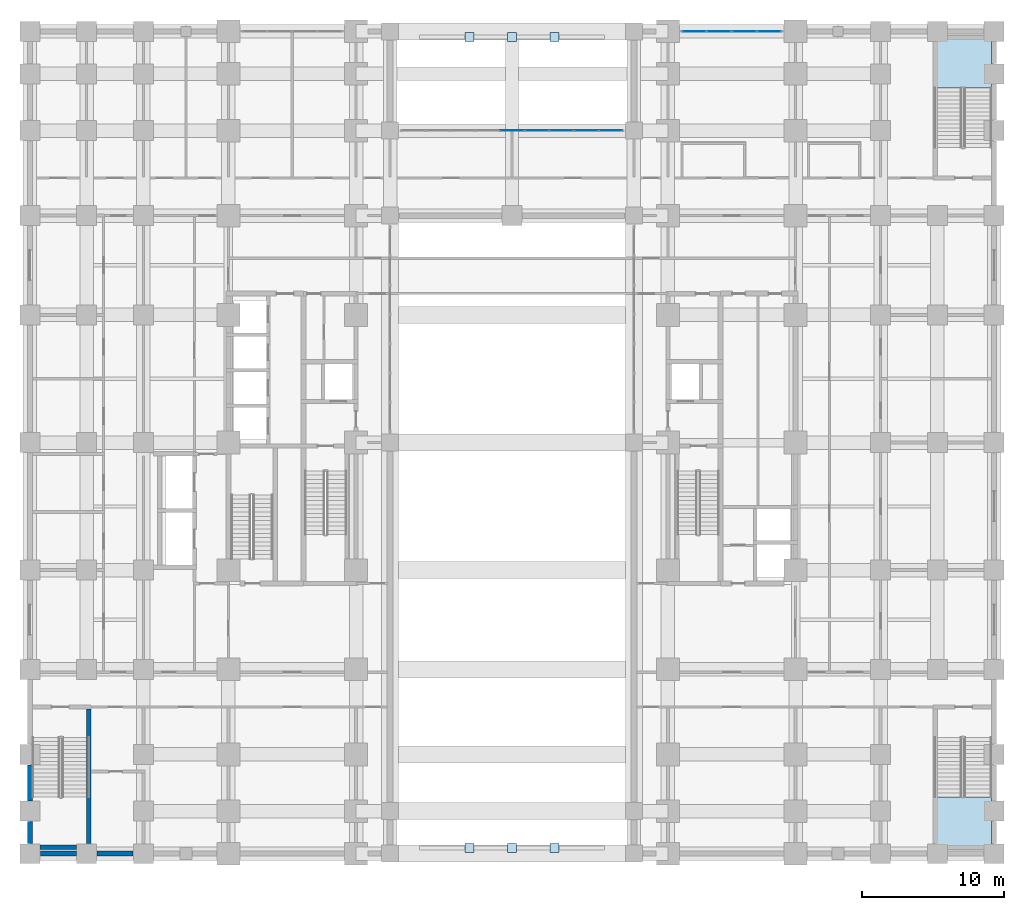
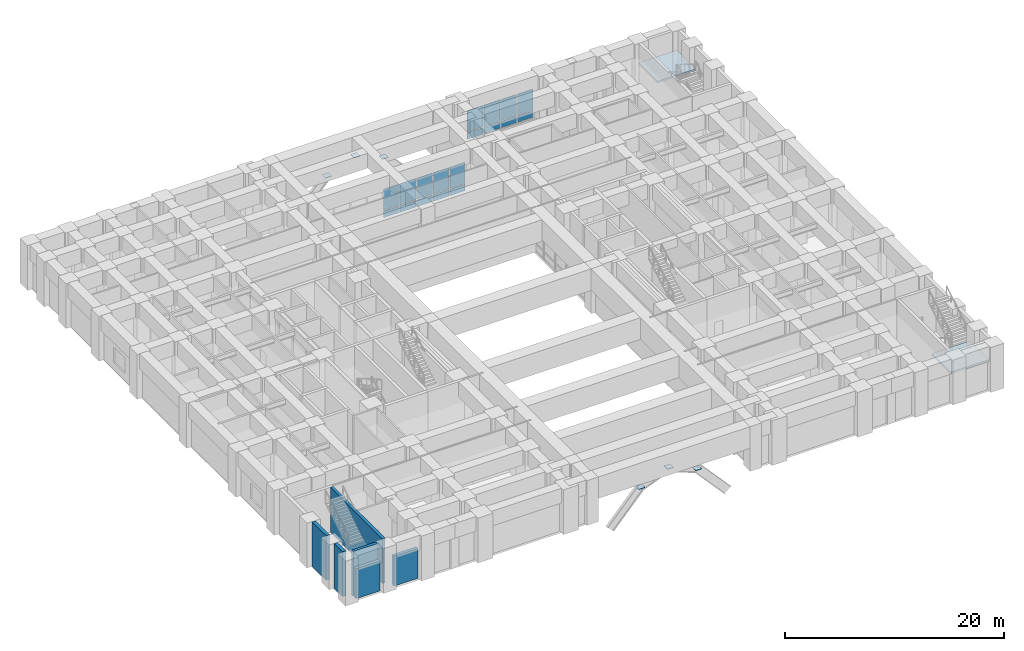
# One storey, part 10 of 24: 24 plates, 6 walls, 2 slabs, 4 elements without a shape of their own.
"""IFC4 building model written with IfcOpenShell, lengths in metres."""

from ifc_helpers import new_model, si_unit, direction, frame, frame_2d, origin, origin_2d, place, context, subcontext, project, spatial, polyline, rectangle, outline, extrude, material, layer, layer_set, type_object, element, aggregate, save


model = new_model("IFC4")

# Units and contexts
model_context = context("Model", 3, precision=1e-05, world=origin(), true_north=direction((0.0, 1.0)))
body_context = subcontext(model_context, "Body", "Model", "MODEL_VIEW")
ifc_project = project(units=[si_unit("LENGTHUNIT", "METRE"), si_unit("AREAUNIT", "SQUARE_METRE"), si_unit("VOLUMEUNIT", "CUBIC_METRE"), si_unit("PLANEANGLEUNIT", "RADIAN"), si_unit("MASSUNIT", "GRAM", prefix="KILO")], contexts=[model_context])

# Site, building, storey
site_placement = place(None, origin())
site = spatial("IfcSite", under=ifc_project, at=site_placement, CompositionType="ELEMENT")
building_placement = place(site_placement, origin())
building = spatial("IfcBuilding", under=site, at=building_placement, Name="Zulmaris Gate Convention Tower", CompositionType="ELEMENT")
storey_placement = place(building_placement, frame((0.0, 0.0, 16.320068359375)))
storey = spatial("IfcBuildingStorey", under=building, at=storey_placement, Name="L03", CompositionType="ELEMENT", Elevation=16.320068359375)

# Curtain wall, plates
ifc_material_1 = material(Name="Anodised Aluminium", Category="aluminium")
curtain_wall_type = type_object("IfcCurtainWallType", Name="CW-03", PredefinedType="NOTDEFINED", material=ifc_material_1)
curtain_wall_1_placement = place(storey_placement, origin())
curtain_wall_1 = element("IfcCurtainWall", 1, at=curtain_wall_1_placement, inside=storey, type_object=curtain_wall_type, Name="CW-03 CW03-L03-N11_0", PredefinedType="NOTDEFINED")
ifc_material_2 = material(Name="Low-E Double Glazing", Category="glass")
ifc_layer_1 = layer(ifc_material_2, 0.028076171875, Name="Low-E Double Glazing")
ifc_layer_set_1 = layer_set([ifc_layer_1], Name="Low-E Double Glazing")
plate_type_1 = type_object("IfcPlateType", Name="CW-03-VISION", PredefinedType="CURTAIN_PANEL", material=ifc_layer_set_1)
plate_1_placement = place(storey_placement, frame((18.13623046875, 29.0, 0.0751953125), z_axis=(0.0, 0.0, 1.0), x_axis=(-1.0, 0.0, 0.0)))
plate_1 = element("IfcPlate", 2, at=plate_1_placement, type_object=plate_type_1, Name="CW-03 panel 1.1", PredefinedType="CURTAIN_PANEL", context=body_context, shape_type="SweptSolid", body=[
    extrude(rectangle(XDim=1.657470703125, YDim=0.028076171875, at=origin_2d()), origin(), (0.0, 0.0, 1.0), 0.737548828125),
])
plate_2_placement = place(storey_placement, frame((18.13623046875, 29.0, 0.8876953125), z_axis=(0.0, 0.0, 1.0), x_axis=(-1.0, 0.0, 0.0)))
plate_2 = element("IfcPlate", 3, at=plate_2_placement, type_object=plate_type_1, Name="CW-03 panel 1.2", PredefinedType="CURTAIN_PANEL", context=body_context, shape_type="SweptSolid", body=[
    extrude(rectangle(XDim=1.657470703125, YDim=0.028076171875, at=origin_2d()), origin(), (0.0, 0.0, 1.0), 2.369384765625),
])
plate_3_placement = place(storey_placement, frame((16.385009765625, 29.0, 0.0751953125), z_axis=(0.0, 0.0, 1.0), x_axis=(-1.0, 0.0, 0.0)))
plate_3 = element("IfcPlate", 4, at=plate_3_placement, type_object=plate_type_1, Name="CW-03 panel 2.1", PredefinedType="CURTAIN_PANEL", context=body_context, shape_type="SweptSolid", body=[
    extrude(rectangle(XDim=1.695068359375, YDim=0.028076171875, at=origin_2d()), origin(), (0.0, 0.0, 1.0), 0.737548828125),
])
plate_4_placement = place(storey_placement, frame((16.385009765625, 29.0, 0.8876953125), z_axis=(0.0, 0.0, 1.0), x_axis=(-1.0, 0.0, 0.0)))
plate_4 = element("IfcPlate", 5, at=plate_4_placement, type_object=plate_type_1, Name="CW-03 panel 2.2", PredefinedType="CURTAIN_PANEL", context=body_context, shape_type="SweptSolid", body=[
    extrude(rectangle(XDim=1.695068359375, YDim=0.028076171875, at=origin_2d()), origin(), (0.0, 0.0, 1.0), 2.369384765625),
])
plate_5_placement = place(storey_placement, frame((14.614990234375, 29.0, 0.0751953125), z_axis=(0.0, 0.0, 1.0), x_axis=(-1.0, 0.0, 0.0)))
plate_5 = element("IfcPlate", 6, at=plate_5_placement, type_object=plate_type_1, Name="CW-03 panel 3.1", PredefinedType="CURTAIN_PANEL", context=body_context, shape_type="SweptSolid", body=[
    extrude(rectangle(XDim=1.695068359375, YDim=0.028076171875, at=origin_2d()), origin(), (0.0, 0.0, 1.0), 0.737548828125),
])
plate_6_placement = place(storey_placement, frame((14.614990234375, 29.0, 0.8876953125), z_axis=(0.0, 0.0, 1.0), x_axis=(-1.0, 0.0, 0.0)))
plate_6 = element("IfcPlate", 7, at=plate_6_placement, type_object=plate_type_1, Name="CW-03 panel 3.2", PredefinedType="CURTAIN_PANEL", context=body_context, shape_type="SweptSolid", body=[
    extrude(rectangle(XDim=1.695068359375, YDim=0.028076171875, at=origin_2d()), origin(), (0.0, 0.0, 1.0), 2.369384765625),
])
plate_7_placement = place(storey_placement, frame((12.86376953125, 29.0, 0.0751953125), z_axis=(0.0, 0.0, 1.0), x_axis=(-1.0, 0.0, 0.0)))
plate_7 = element("IfcPlate", 8, at=plate_7_placement, type_object=plate_type_1, Name="CW-03 panel 4.1", PredefinedType="CURTAIN_PANEL", context=body_context, shape_type="SweptSolid", body=[
    extrude(rectangle(XDim=1.657470703125, YDim=0.028076171875, at=origin_2d()), origin(), (0.0, 0.0, 1.0), 0.737548828125),
])
plate_8_placement = place(storey_placement, frame((12.86376953125, 29.0, 0.8876953125), z_axis=(0.0, 0.0, 1.0), x_axis=(-1.0, 0.0, 0.0)))
plate_8 = element("IfcPlate", 9, at=plate_8_placement, type_object=plate_type_1, Name="CW-03 panel 4.2", PredefinedType="CURTAIN_PANEL", context=body_context, shape_type="SweptSolid", body=[
    extrude(rectangle(XDim=1.657470703125, YDim=0.028076171875, at=origin_2d()), origin(), (0.0, 0.0, 1.0), 2.369384765625),
])
aggregate(curtain_wall_1, [plate_1, plate_2, plate_3, plate_4, plate_5, plate_6, plate_7, plate_8])

curtain_wall_2_placement = place(storey_placement, origin())
curtain_wall_2 = element("IfcCurtainWall", 10, at=curtain_wall_2_placement, inside=storey, type_object=curtain_wall_type, Name="CW-03 CW03-L03-NARCH_0", PredefinedType="NOTDEFINED")
plate_9_placement = place(storey_placement, frame((6.9501953125, 22.0, 0.0751953125), z_axis=(0.0, 0.0, 1.0), x_axis=(-1.0, 0.0, 0.0)))
plate_9 = element("IfcPlate", 11, at=plate_9_placement, type_object=plate_type_1, Name="CW-03 panel 1.1", PredefinedType="CURTAIN_PANEL", context=body_context, shape_type="SweptSolid", body=[
    extrude(rectangle(XDim=1.629638671875, YDim=0.028076171875, at=origin_2d()), origin(), (0.0, 0.0, 1.0), 0.737548828125),
])
plate_10_placement = place(storey_placement, frame((6.9501953125, 22.0, 0.8876953125), z_axis=(0.0, 0.0, 1.0), x_axis=(-1.0, 0.0, 0.0)))
plate_10 = element("IfcPlate", 12, at=plate_10_placement, type_object=plate_type_1, Name="CW-03 panel 1.2", PredefinedType="CURTAIN_PANEL", context=body_context, shape_type="SweptSolid", body=[
    extrude(rectangle(XDim=1.629638671875, YDim=0.028076171875, at=origin_2d()), origin(), (0.0, 0.0, 1.0), 2.369384765625),
])
plate_11_placement = place(storey_placement, frame((5.2265625, 22.0, 0.0751953125), z_axis=(0.0, 0.0, 1.0), x_axis=(-1.0, 0.0, 0.0)))
plate_11 = element("IfcPlate", 13, at=plate_11_placement, type_object=plate_type_1, Name="CW-03 panel 2.1", PredefinedType="CURTAIN_PANEL", context=body_context, shape_type="SweptSolid", body=[
    extrude(rectangle(XDim=1.667236328125, YDim=0.028076171875, at=origin_2d()), origin(), (0.0, 0.0, 1.0), 0.737548828125),
])
plate_12_placement = place(storey_placement, frame((5.2265625, 22.0, 0.8876953125), z_axis=(0.0, 0.0, 1.0), x_axis=(-1.0, 0.0, 0.0)))
plate_12 = element("IfcPlate", 14, at=plate_12_placement, type_object=plate_type_1, Name="CW-03 panel 2.2", PredefinedType="CURTAIN_PANEL", context=body_context, shape_type="SweptSolid", body=[
    extrude(rectangle(XDim=1.667236328125, YDim=0.028076171875, at=origin_2d()), origin(), (0.0, 0.0, 1.0), 2.369384765625),
])
plate_13_placement = place(storey_placement, frame((3.484375, 22.0, 0.0751953125), z_axis=(0.0, 0.0, 1.0), x_axis=(-1.0, 0.0, 0.0)))
plate_13 = element("IfcPlate", 15, at=plate_13_placement, type_object=plate_type_1, Name="CW-03 panel 3.1", PredefinedType="CURTAIN_PANEL", context=body_context, shape_type="SweptSolid", body=[
    extrude(rectangle(XDim=1.667236328125, YDim=0.028076171875, at=origin_2d()), origin(), (0.0, 0.0, 1.0), 0.737548828125),
])
plate_14_placement = place(storey_placement, frame((3.484375, 22.0, 0.8876953125), z_axis=(0.0, 0.0, 1.0), x_axis=(-1.0, 0.0, 0.0)))
plate_14 = element("IfcPlate", 16, at=plate_14_placement, type_object=plate_type_1, Name="CW-03 panel 3.2", PredefinedType="CURTAIN_PANEL", context=body_context, shape_type="SweptSolid", body=[
    extrude(rectangle(XDim=1.667236328125, YDim=0.028076171875, at=origin_2d()), origin(), (0.0, 0.0, 1.0), 2.369384765625),
])
plate_15_placement = place(storey_placement, frame((1.7421875, 22.0, 0.0751953125), z_axis=(0.0, 0.0, 1.0), x_axis=(-1.0, 0.0, 0.0)))
plate_15 = element("IfcPlate", 17, at=plate_15_placement, type_object=plate_type_1, Name="CW-03 panel 4.1", PredefinedType="CURTAIN_PANEL", context=body_context, shape_type="SweptSolid", body=[
    extrude(rectangle(XDim=1.667236328125, YDim=0.028076171875, at=origin_2d()), origin(), (0.0, 0.0, 1.0), 0.737548828125),
])
plate_16_placement = place(storey_placement, frame((1.7421875, 22.0, 0.8876953125), z_axis=(0.0, 0.0, 1.0), x_axis=(-1.0, 0.0, 0.0)))
plate_16 = element("IfcPlate", 18, at=plate_16_placement, type_object=plate_type_1, Name="CW-03 panel 4.2", PredefinedType="CURTAIN_PANEL", context=body_context, shape_type="SweptSolid", body=[
    extrude(rectangle(XDim=1.667236328125, YDim=0.028076171875, at=origin_2d()), origin(), (0.0, 0.0, 1.0), 2.369384765625),
])
plate_17_placement = place(storey_placement, frame((0.0, 22.0, 0.0751953125), z_axis=(0.0, 0.0, 1.0), x_axis=(-1.0, 0.0, 0.0)))
plate_17 = element("IfcPlate", 19, at=plate_17_placement, type_object=plate_type_1, Name="CW-03 panel 5.1", PredefinedType="CURTAIN_PANEL", context=body_context, shape_type="SweptSolid", body=[
    extrude(rectangle(XDim=1.667236328125, YDim=0.028076171875, at=origin_2d()), origin(), (0.0, 0.0, 1.0), 0.737548828125),
])
plate_18_placement = place(storey_placement, frame((0.0, 22.0, 0.8876953125), z_axis=(0.0, 0.0, 1.0), x_axis=(-1.0, 0.0, 0.0)))
plate_18 = element("IfcPlate", 20, at=plate_18_placement, type_object=plate_type_1, Name="CW-03 panel 5.2", PredefinedType="CURTAIN_PANEL", context=body_context, shape_type="SweptSolid", body=[
    extrude(rectangle(XDim=1.667236328125, YDim=0.028076171875, at=origin_2d()), origin(), (0.0, 0.0, 1.0), 2.369384765625),
])
aggregate(curtain_wall_2, [plate_9, plate_10, plate_11, plate_12, plate_13, plate_14, plate_15, plate_16, plate_17, plate_18])

# Plates
ifc_material_3 = material(Name="Steel S460", Category="steel")
ifc_layer_2 = layer(ifc_material_3, 0.034912109375, Name="Steel S460")
ifc_layer_set_2 = layer_set([ifc_layer_2], Name="Steel S460")
plate_type_2 = type_object("IfcPlateType", Name="NP-GUS-650", PredefinedType="USERDEFINED", material=ifc_layer_set_2)
for number, where, z_axis, x_axis, name in (
    (21, (-3.0, -28.60009765625, 1.5126953125), (0.0, 0.0, 1.0), (1.0, 0.0, 0.0), "L03 Steel Node Plate ARCH-RIB-S-2-GPB"),
    (22, (0.0, -28.60009765625, 2.71240234375), (0.0, 0.0, 1.0), (1.0, 0.0, 0.0), "L03 Steel Node Plate ARCH-RIB-S-3-GPB"),
    (23, (3.0, -28.60009765625, 1.5126953125), (0.0, 0.0, 1.0), (1.0, 0.0, 0.0), "L03 Steel Node Plate ARCH-RIB-S-4-GPB"),
    (24, (-3.0, 28.60009765625, 1.5126953125), (0.0, 0.0, 1.0), (1.0, 0.0, 0.0), "L03 Steel Node Plate ARCH-RIB-N-2-GPB"),
    (25, (0.0, 28.60009765625, 2.71240234375), (0.0, 0.0, 1.0), (1.0, 0.0, 0.0), "L03 Steel Node Plate ARCH-RIB-N-3-GPB"),
    (26, (3.0, 28.60009765625, 1.5126953125), (0.0, 0.0, 1.0), (1.0, 0.0, 0.0), "L03 Steel Node Plate ARCH-RIB-N-4-GPB"),
):
    element("IfcPlate", number, at=place(storey_placement, frame(where, z_axis=z_axis, x_axis=x_axis)), inside=storey, type_object=plate_type_2, Name=name, ObjectType="GUSSET PLATE", PredefinedType="USERDEFINED", context=body_context, shape_type="SweptSolid", body=[
        extrude(rectangle(XDim=0.64990234375, YDim=0.64990234375, at=origin_2d()), origin(), (0.0, 0.0, 1.0), 0.034912109375),
    ])

# Stair, slab
ifc_material_4 = material(Name="Concrete C45/55", Category="concrete")
stair_type = type_object("IfcStairType", Name="ST-POD-DOGLEG", PredefinedType="HALF_TURN_STAIR", material=ifc_material_4)
stair_1_placement = place(storey_placement, origin())
stair_1 = element("IfcStair", 27, at=stair_1_placement, inside=storey, type_object=stair_type, Name="L03 Podium Exit Stair ST-5", PredefinedType="HALF_TURN_STAIR")
ifc_layer_3 = layer(ifc_material_4, 0.199951171875, Name="Concrete C45/55")
ifc_layer_set_3 = layer_set([ifc_layer_3], Name="Concrete C45/55")
slab_type = type_object("IfcSlabType", Name="SL-LND-200", PredefinedType="LANDING", material=ifc_layer_set_3)
slab_1_placement = place(storey_placement, frame((0.0, 0.0, 2.52001953125)))
slab_1 = element("IfcSlab", 28, at=slab_1_placement, type_object=slab_type, Name="ST-5 landing 1", PredefinedType="LANDING", context=body_context, shape_type="SweptSolid", body=[
    extrude(outline(polyline([(33.830078125, 25.0), (33.830078125, 28.449951171875), (29.780029296875, 28.449951171875), (29.780029296875, 25.0), (33.830078125, 25.0)])), origin(), (0.0, 0.0, 1.0), 0.199951171875),
])
aggregate(stair_1, [slab_1])

stair_2_placement = place(storey_placement, origin())
stair_2 = element("IfcStair", 29, at=stair_2_placement, inside=storey, type_object=stair_type, Name="L03 Podium Exit Stair ST-6", PredefinedType="HALF_TURN_STAIR")
slab_2_placement = place(storey_placement, frame((0.0, 0.0, 2.52001953125)))
slab_2 = element("IfcSlab", 30, at=slab_2_placement, type_object=slab_type, Name="ST-6 landing 1", PredefinedType="LANDING", context=body_context, shape_type="SweptSolid", body=[
    extrude(outline(polyline([(29.780029296875, -25.0), (29.780029296875, -28.449951171875), (33.830078125, -28.449951171875), (33.830078125, -25.0), (29.780029296875, -25.0)])), origin(), (0.0, 0.0, 1.0), 0.199951171875),
])
aggregate(stair_2, [slab_2])

# Walls
ifc_material_5 = material(Name="Concrete C50/60", Category="concrete")
ifc_layer_4 = layer(ifc_material_5, 0.300048828125, Name="Concrete C50/60")
ifc_layer_set_4 = layer_set([ifc_layer_4], Name="Concrete C50/60")
wall_type_1 = type_object("IfcWallType", Name="CORE-300", PredefinedType="SHEAR", material=ifc_layer_set_4)
wall_1_placement = place(storey_placement, frame((-33.2958984375, -28.550048828125, 0.0), z_axis=(0.0, 0.0, 1.0), x_axis=(1.0, 0.0, 0.0)))
element("IfcWall", 31, at=wall_1_placement, inside=storey, type_object=wall_type_1, Name="WL-L03-001", PredefinedType="SHEAR", context=body_context, shape_type="SweptSolid", body=[
    extrude(rectangle(XDim=2.591796875, YDim=0.300048828125, at=frame_2d((1.2958984375, 0.0))), origin(), (0.0, 0.0, 1.0), 4.989990234375),
])
wall_2_placement = place(storey_placement, frame((-29.85009765625, -28.2958984375, 0.0), z_axis=(0.0, 0.0, 1.0), x_axis=(0.0, 1.0, 0.0)))
element("IfcWall", 32, at=wall_2_placement, inside=storey, type_object=wall_type_1, Name="WL-L03-068", PredefinedType="SHEAR", context=body_context, shape_type="SweptSolid", body=[
    extrude(rectangle(XDim=9.493896484375, YDim=0.300048828125, at=frame_2d((4.7470703125, 0.0))), origin(), (0.0, 0.0, 1.0), 4.989990234375),
])
ifc_material_6 = material(Name="Precast concrete C45/55", Category="concrete")
ifc_layer_5 = layer(ifc_material_6, 0.35009765625, Name="Precast concrete C45/55")
ifc_layer_set_5 = layer_set([ifc_layer_5], Name="Precast concrete C45/55")
wall_type_2 = type_object("IfcWallType", Name="PRECAST-POD-350", PredefinedType="STANDARD", material=ifc_layer_set_5)
for number, where, z_axis, x_axis, name in (
    (33, (-33.27001953125, -29.0, 0.0), (0.0, 0.0, 1.0), (1.0, 0.0, 0.0), "EW-L03-S--340_0"),
    (34, (-29.27001953125, -29.0, 0.0), (0.0, 0.0, 1.0), (1.0, 0.0, 0.0), "EW-L03-S--300_0"),
):
    element("IfcWall", number, at=place(storey_placement, frame(where, z_axis=z_axis, x_axis=x_axis)), inside=storey, type_object=wall_type_2, Name=name, PredefinedType="STANDARD", context=body_context, shape_type="SweptSolid", body=[
        extrude(rectangle(XDim=2.5400390625, YDim=0.35009765625, at=frame_2d((1.27001953125, 0.0))), origin(), (0.0, 0.0, 1.0), 3.33203125),
    ])
wall_3_placement = place(storey_placement, frame((-34.0, -28.27001953125, 0.0), z_axis=(0.0, 0.0, 1.0), x_axis=(0.0, 1.0, 0.0)))
element("IfcWall", 35, at=wall_3_placement, inside=storey, type_object=wall_type_2, Name="EW-L03-W--29_0", PredefinedType="STANDARD", context=body_context, shape_type="SweptSolid", body=[
    extrude(rectangle(XDim=1.5400390625, YDim=0.35009765625, at=frame_2d((0.77001953125, 0.0))), origin(), (0.0, 0.0, 1.0), 4.989990234375),
])
wall_4_placement = place(storey_placement, frame((-34.0, -25.27001953125, 0.0), z_axis=(0.0, 0.0, 1.0), x_axis=(0.0, 1.0, 0.0)))
element("IfcWall", 36, at=wall_4_placement, inside=storey, type_object=wall_type_2, Name="EW-L03-W--26_0", PredefinedType="STANDARD", context=body_context, shape_type="SweptSolid", body=[
    extrude(rectangle(XDim=2.5400390625, YDim=0.35009765625, at=frame_2d((1.27001953125, 0.0))), origin(), (0.0, 0.0, 1.0), 4.989990234375),
])

save(model, "model.ifc")
